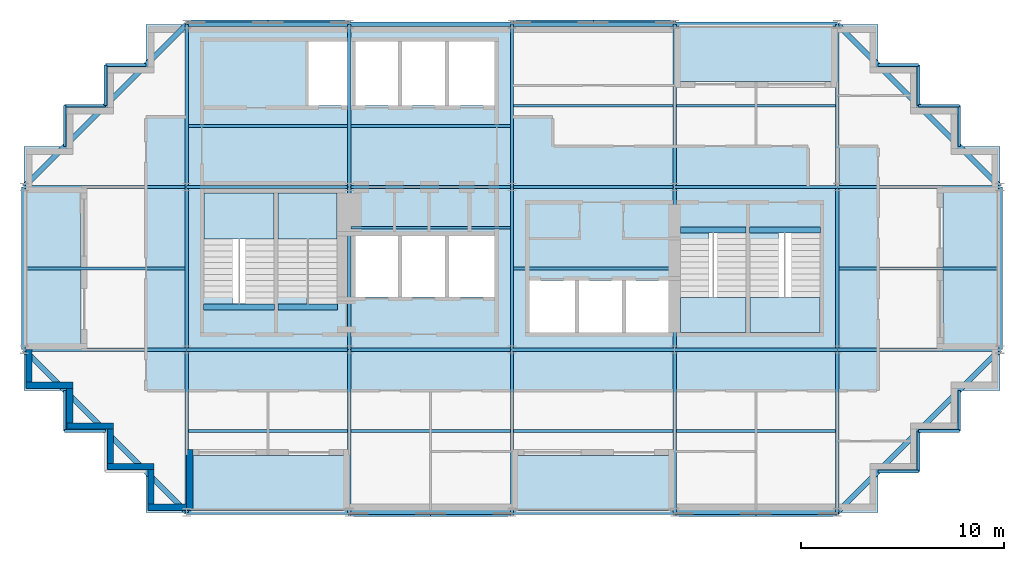
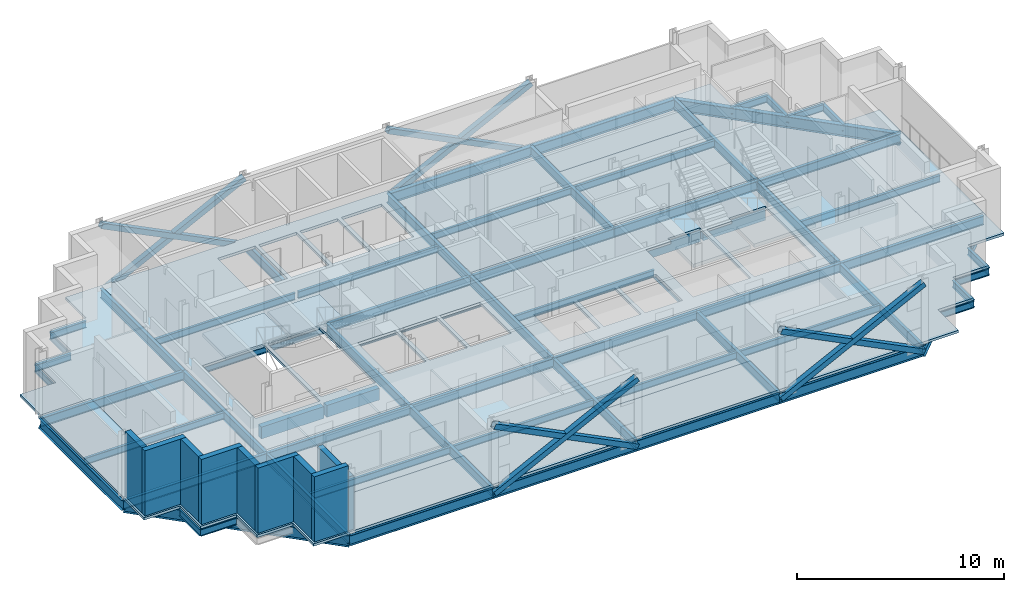
# One storey, part 3 of 9: 71 beams, 12 slabs, 9 walls, 8 members, 4 elements without a shape of their own.
"""IFC4 building model written with IfcOpenShell, lengths in metres."""

from ifc_helpers import new_model, si_unit, direction, frame, frame_2d, origin, origin_2d, place, context, subcontext, project, spatial, polyline, rectangle, hollow_rectangle, i_section, outline, extrude, material, layer, layer_set, material_profile, profile_set, type_object, element, aggregate, save


model = new_model("IFC4")

# Units and contexts
model_context = context("Model", 3, precision=1e-05, world=origin(), true_north=direction((0.0, 1.0)))
body_context = subcontext(model_context, "Body", "Model", "MODEL_VIEW")
ifc_project = project(units=[si_unit("LENGTHUNIT", "METRE"), si_unit("AREAUNIT", "SQUARE_METRE"), si_unit("VOLUMEUNIT", "CUBIC_METRE"), si_unit("PLANEANGLEUNIT", "RADIAN"), si_unit("MASSUNIT", "GRAM", prefix="KILO")], contexts=[model_context])

# Site, building, storey
site_placement = place(None, origin())
site = spatial("IfcSite", under=ifc_project, at=site_placement, CompositionType="ELEMENT")
building_placement = place(site_placement, origin())
building = spatial("IfcBuilding", under=site, at=building_placement, Name="Immortelle Media Tower", CompositionType="ELEMENT")
storey_placement = place(building_placement, frame((0.0, 0.0, 225.0)))
storey = spatial("IfcBuildingStorey", under=building, at=storey_placement, Name="L48", CompositionType="ELEMENT", Elevation=225.0)

# Members
ifc_material_1 = material(Name="Steel ASTM A500 Gr C", Category="steel")
ifc_material_profile_1 = material_profile(ifc_material_1, hollow_rectangle(XDim=0.304931640625, YDim=0.304931640625, WallThickness=0.011962890625, at=origin_2d()), Name="HSS12x12x1/2 brace")
ifc_profile_set_1 = profile_set([ifc_material_profile_1], Name="Steel ASTM A500 Gr C")
member_type = type_object("IfcMemberType", Name="HSS12x12x1/2 brace", PredefinedType="BRACE", material=ifc_profile_set_1)
for number, where, z_axis, x_axis, name in (
    (1, (16.0, -0.0625, -0.4560546875), (0.894427191, 0.0, 0.4472135955), (0.0, 1.0, 0.0), "Brace A/3-4 A"),
    (2, (16.0, -0.0625, 3.5439453125), (0.894427191, 0.0, -0.4472135955), (0.0, 1.0, 0.0), "Brace A/3-4 B"),
    (3, (32.0, -0.0625, -0.4560546875), (0.894427191, 0.0, 0.4472135955), (0.0, 1.0, 0.0), "Brace A/5-6 A"),
    (4, (32.0, -0.0625, 3.5439453125), (0.894427191, 0.0, -0.4472135955), (0.0, 1.0, 0.0), "Brace A/5-6 B"),
    (5, (32.0, 24.0625, -0.4560546875), (-0.894427191, 0.0, 0.4472135955), (0.0, -1.0, 0.0), "Brace D/4-5 A"),
    (6, (32.0, 24.0625, 3.5439453125), (-0.894427191, 0.0, -0.4472135955), (0.0, -1.0, 0.0), "Brace D/4-5 B"),
    (7, (16.0, 24.0625, -0.4560546875), (-0.894427191, 0.0, 0.4472135955), (0.0, -1.0, 0.0), "Brace D/2-3 A"),
    (8, (16.0, 24.0625, 3.5439453125), (-0.894427191, 0.0, -0.4472135955), (0.0, -1.0, 0.0), "Brace D/2-3 B"),
):
    element("IfcMember", number, at=place(storey_placement, frame(where, z_axis=z_axis, x_axis=x_axis)), inside=storey, type_object=member_type, Name=name, PredefinedType="BRACE", context=body_context, shape_type="SweptSolid", body=[
        extrude(hollow_rectangle(XDim=0.304931640625, YDim=0.304931640625, WallThickness=0.011962890625, at=origin_2d()), origin(), (0.0, 0.0, 1.0), 8.9443359375),
    ])

# Beams
ifc_material_2 = material(Name="Concrete C50/60", Category="concrete")
ifc_material_profile_2 = material_profile(ifc_material_2, rectangle(XDim=0.300048828125, YDim=0.699951171875, at=origin_2d()), Name="RC 300x700")
ifc_profile_set_2 = profile_set([ifc_material_profile_2], Name="Concrete C50/60")
beam_type_1 = type_object("IfcBeamType", Name="Stair trimmer beam 300 x 700", PredefinedType="BEAM", material=ifc_profile_set_2)
beam_1_placement = place(storey_placement, frame((8.830078125, 10.10498046875, -0.5), z_axis=(1.0, 0.0, 0.0), x_axis=(0.0, 1.0, 0.0)))
element("IfcBeam", 9, at=beam_1_placement, inside=storey, type_object=beam_type_1, Name="Stair trimmer beam SW1", PredefinedType="BEAM", context=body_context, shape_type="SweptSolid", body=[
    extrude(rectangle(XDim=0.300048828125, YDim=0.699951171875, at=origin_2d()), origin(), (0.0, 0.0, 1.0), 3.489990234375),
])
beam_2_placement = place(storey_placement, frame((12.47998046875, 10.10498046875, -0.5), z_axis=(1.0, 0.0, 0.0), x_axis=(0.0, 1.0, 0.0)))
element("IfcBeam", 10, at=beam_2_placement, inside=storey, type_object=beam_type_1, Name="Stair trimmer beam SW2", PredefinedType="BEAM", context=body_context, shape_type="SweptSolid", body=[
    extrude(rectangle(XDim=0.300048828125, YDim=0.699951171875, at=origin_2d()), origin(), (0.0, 0.0, 1.0), 2.93994140625),
])
beam_3_placement = place(storey_placement, frame((32.280029296875, 13.89501953125, -0.5), z_axis=(1.0, 0.0, 0.0), x_axis=(0.0, 1.0, 0.0)))
element("IfcBeam", 11, at=beam_3_placement, inside=storey, type_object=beam_type_1, Name="Stair trimmer beam SE1", PredefinedType="BEAM", context=body_context, shape_type="SweptSolid", body=[
    extrude(rectangle(XDim=0.300048828125, YDim=0.699951171875, at=origin_2d()), origin(), (0.0, 0.0, 1.0), 3.239990234375),
])
beam_4_placement = place(storey_placement, frame((35.679931640625, 13.89501953125, -0.5), z_axis=(1.0, 0.0, 0.0), x_axis=(0.0, 1.0, 0.0)))
element("IfcBeam", 12, at=beam_4_placement, inside=storey, type_object=beam_type_1, Name="Stair trimmer beam SE2", PredefinedType="BEAM", context=body_context, shape_type="SweptSolid", body=[
    extrude(rectangle(XDim=0.300048828125, YDim=0.699951171875, at=origin_2d()), origin(), (0.0, 0.0, 1.0), 3.489990234375),
])
ifc_material_3 = material(Name="Steel ASTM A992 Gr 50", Category="steel")
ifc_material_profile_3 = material_profile(ifc_material_3, i_section(OverallWidth=0.139892578125, OverallDepth=0.404052734375, WebThickness=0.007080078125, FlangeThickness=0.010986328125, at=origin_2d()), Name="W16x31")
ifc_profile_set_3 = profile_set([ifc_material_profile_3], Name="Steel ASTM A992 Gr 50")
beam_type_2 = type_object("IfcBeamType", Name="W16x31 secondary beam", PredefinedType="JOIST", material=ifc_profile_set_3)
for number, where, z_axis, x_axis, name in (
    (13, (8.08349609375, 4.0, -0.35205078125), (1.0, 0.0, 0.0), (0.0, 1.0, 0.0), "Beam A-B/2-3"),
    (14, (16.08349609375, 4.0, -0.35205078125), (1.0, 0.0, 0.0), (0.0, 1.0, 0.0), "Beam A-B/3-4"),
    (15, (24.08349609375, 4.0, -0.35205078125), (1.0, 0.0, 0.0), (0.0, 1.0, 0.0), "Beam A-B/4-5"),
    (16, (32.08349609375, 4.0, -0.35205078125), (1.0, 0.0, 0.0), (0.0, 1.0, 0.0), "Beam A-B/5-6"),
):
    element("IfcBeam", number, at=place(storey_placement, frame(where, z_axis=z_axis, x_axis=x_axis)), inside=storey, type_object=beam_type_2, Name=name, PredefinedType="JOIST", context=body_context, shape_type="SweptSolid", body=[
        extrude(i_section(OverallWidth=0.139892578125, OverallDepth=0.404052734375, WebThickness=0.007080078125, FlangeThickness=0.010986328125, at=origin_2d()), origin(), (0.0, 0.0, 1.0), 7.8330078125),
    ])
beam_5_placement = place(storey_placement, frame((0.114501953125, 12.0, -0.35205078125), z_axis=(1.0, 0.0, 0.0), x_axis=(0.0, 1.0, 0.0)))
element("IfcBeam", 17, at=beam_5_placement, inside=storey, type_object=beam_type_2, Name="Beam B-C/1-2", PredefinedType="JOIST", context=body_context, shape_type="SweptSolid", body=[
    extrude(i_section(OverallWidth=0.139892578125, OverallDepth=0.404052734375, WebThickness=0.007080078125, FlangeThickness=0.010986328125, at=origin_2d()), origin(), (0.0, 0.0, 1.0), 7.802001953125),
])
for number, where, z_axis, x_axis, name in (
    (18, (16.08349609375, 14.0, -0.35205078125), (1.0, 0.0, 0.0), (0.0, 1.0, 0.0), "Beam B-C/3-4"),
    (19, (24.08349609375, 12.0, -0.35205078125), (1.0, 0.0, 0.0), (0.0, 1.0, 0.0), "Beam B-C/4-5"),
):
    element("IfcBeam", number, at=place(storey_placement, frame(where, z_axis=z_axis, x_axis=x_axis)), inside=storey, type_object=beam_type_2, Name=name, PredefinedType="JOIST", context=body_context, shape_type="SweptSolid", body=[
        extrude(i_section(OverallWidth=0.139892578125, OverallDepth=0.404052734375, WebThickness=0.007080078125, FlangeThickness=0.010986328125, at=origin_2d()), origin(), (0.0, 0.0, 1.0), 7.8330078125),
    ])
beam_6_placement = place(storey_placement, frame((40.08349609375, 12.0, -0.35205078125), z_axis=(1.0, 0.0, 0.0), x_axis=(0.0, 1.0, 0.0)))
element("IfcBeam", 20, at=beam_6_placement, inside=storey, type_object=beam_type_2, Name="Beam B-C/6-7", PredefinedType="JOIST", context=body_context, shape_type="SweptSolid", body=[
    extrude(i_section(OverallWidth=0.139892578125, OverallDepth=0.404052734375, WebThickness=0.007080078125, FlangeThickness=0.010986328125, at=origin_2d()), origin(), (0.0, 0.0, 1.0), 7.802001953125),
])
for number, where, z_axis, x_axis, name in (
    (21, (8.08349609375, 19.0, -0.35205078125), (1.0, 0.0, 0.0), (0.0, 1.0, 0.0), "Beam C-D/2-3"),
    (22, (16.08349609375, 19.0, -0.35205078125), (1.0, 0.0, 0.0), (0.0, 1.0, 0.0), "Beam C-D/3-4"),
    (23, (24.08349609375, 20.0, -0.35205078125), (1.0, 0.0, 0.0), (0.0, 1.0, 0.0), "Beam C-D/4-5"),
    (24, (32.08349609375, 20.0, -0.35205078125), (1.0, 0.0, 0.0), (0.0, 1.0, 0.0), "Beam C-D/5-6"),
):
    element("IfcBeam", number, at=place(storey_placement, frame(where, z_axis=z_axis, x_axis=x_axis)), inside=storey, type_object=beam_type_2, Name=name, PredefinedType="JOIST", context=body_context, shape_type="SweptSolid", body=[
        extrude(i_section(OverallWidth=0.139892578125, OverallDepth=0.404052734375, WebThickness=0.007080078125, FlangeThickness=0.010986328125, at=origin_2d()), origin(), (0.0, 0.0, 1.0), 7.8330078125),
    ])
ifc_material_profile_4 = material_profile(ifc_material_3, i_section(OverallWidth=0.139892578125, OverallDepth=0.404052734375, WebThickness=0.007080078125, FlangeThickness=0.010986328125, at=origin_2d()), Name="W16x31")
ifc_profile_set_4 = profile_set([ifc_material_profile_4], Name="Steel ASTM A992 Gr 50")
beam_type_3 = type_object("IfcBeamType", Name="W16x31 serration edge beam", PredefinedType="SPANDREL", material=ifc_profile_set_4)
for number, where, z_axis, x_axis, name in (
    (25, (4.0, 4.0, -0.35205078125), (-1.0, 0.0, 0.0), (0.0, -1.0, 0.0), "Corner edge beam 3 at 1/A"),
    (26, (2.0, 4.0, -0.35205078125), (0.0, 1.0, 0.0), (-1.0, 0.0, 0.0), "Corner edge beam 4 at 1/A"),
    (27, (2.0, 18.0, -0.35205078125), (0.0, 1.0, 0.0), (-1.0, 0.0, 0.0), "Corner edge beam 1 at 1/D"),
    (28, (2.0, 20.0, -0.35205078125), (1.0, 0.0, 0.0), (0.0, 1.0, 0.0), "Corner edge beam 2 at 1/D"),
    (29, (4.0, 20.0, -0.35205078125), (0.0, 1.0, 0.0), (-1.0, 0.0, 0.0), "Corner edge beam 3 at 1/D"),
    (30, (4.0, 22.0, -0.35205078125), (1.0, 0.0, 0.0), (0.0, 1.0, 0.0), "Corner edge beam 4 at 1/D"),
    (31, (46.0, 6.0, -0.35205078125), (0.0, -1.0, 0.0), (1.0, 0.0, 0.0), "Corner edge beam 1 at 7/A"),
    (32, (46.0, 4.0, -0.35205078125), (-1.0, 0.0, 0.0), (0.0, -1.0, 0.0), "Corner edge beam 2 at 7/A"),
    (33, (44.0, 4.0, -0.35205078125), (0.0, -1.0, 0.0), (1.0, 0.0, 0.0), "Corner edge beam 3 at 7/A"),
    (34, (44.0, 2.0, -0.35205078125), (-1.0, 0.0, 0.0), (0.0, -1.0, 0.0), "Corner edge beam 4 at 7/A"),
    (35, (42.0, 22.0, -0.35205078125), (1.0, 0.0, 0.0), (0.0, 1.0, 0.0), "Corner edge beam 1 at 7/D"),
    (36, (44.0, 22.0, -0.35205078125), (0.0, -1.0, 0.0), (1.0, 0.0, 0.0), "Corner edge beam 2 at 7/D"),
    (37, (44.0, 20.0, -0.35205078125), (1.0, 0.0, 0.0), (0.0, 1.0, 0.0), "Corner edge beam 3 at 7/D"),
    (38, (46.0, 20.0, -0.35205078125), (0.0, -1.0, 0.0), (1.0, 0.0, 0.0), "Corner edge beam 4 at 7/D"),
):
    element("IfcBeam", number, at=place(storey_placement, frame(where, z_axis=z_axis, x_axis=x_axis)), inside=storey, type_object=beam_type_3, Name=name, PredefinedType="SPANDREL", context=body_context, shape_type="SweptSolid", body=[
        extrude(i_section(OverallWidth=0.139892578125, OverallDepth=0.404052734375, WebThickness=0.007080078125, FlangeThickness=0.010986328125, at=origin_2d()), origin(), (0.0, 0.0, 1.0), 2.0),
    ])
ifc_material_profile_5 = material_profile(ifc_material_3, i_section(OverallWidth=0.1669921875, OverallDepth=0.535888671875, WebThickness=0.010009765625, FlangeThickness=0.01708984375, at=origin_2d()), Name="W21x57")
ifc_profile_set_5 = profile_set([ifc_material_profile_5], Name="Steel ASTM A992 Gr 50")
beam_type_4 = type_object("IfcBeamType", Name="W21x57 girder", PredefinedType="BEAM", material=ifc_profile_set_5)
for number, where, z_axis, x_axis, name in (
    (39, (0.0, 8.0, -0.41796875), (1.0, 0.0, 0.0), (0.0, 1.0, 0.0), "Girder B/1-2"),
    (40, (0.0, 16.0, -0.41796875), (1.0, 0.0, 0.0), (0.0, 1.0, 0.0), "Girder C/1-2"),
    (41, (8.0, 0.0, -0.41796875), (0.0, 1.0, 0.0), (-1.0, 0.0, 0.0), "Girder 2/A-B"),
    (42, (8.0, 8.0, -0.41796875), (1.0, 0.0, 0.0), (0.0, 1.0, 0.0), "Girder B/2-3"),
    (43, (8.0, 8.0, -0.41796875), (0.0, 1.0, 0.0), (-1.0, 0.0, 0.0), "Girder 2/B-C"),
    (44, (8.0, 16.0, -0.41796875), (1.0, 0.0, 0.0), (0.0, 1.0, 0.0), "Girder C/2-3"),
    (45, (8.0, 16.0, -0.41796875), (0.0, 1.0, 0.0), (-1.0, 0.0, 0.0), "Girder 2/C-D"),
    (46, (16.0, 0.0, -0.41796875), (0.0, 1.0, 0.0), (-1.0, 0.0, 0.0), "Girder 3/A-B"),
    (47, (16.0, 8.0, -0.41796875), (1.0, 0.0, 0.0), (0.0, 1.0, 0.0), "Girder B/3-4"),
    (48, (16.0, 8.0, -0.41796875), (0.0, 1.0, 0.0), (-1.0, 0.0, 0.0), "Girder 3/B-C"),
    (49, (16.0, 16.0, -0.41796875), (1.0, 0.0, 0.0), (0.0, 1.0, 0.0), "Girder C/3-4"),
    (50, (16.0, 16.0, -0.41796875), (0.0, 1.0, 0.0), (-1.0, 0.0, 0.0), "Girder 3/C-D"),
    (51, (24.0, 0.0, -0.41796875), (0.0, 1.0, 0.0), (-1.0, 0.0, 0.0), "Girder 4/A-B"),
    (52, (24.0, 8.0, -0.41796875), (1.0, 0.0, 0.0), (0.0, 1.0, 0.0), "Girder B/4-5"),
    (53, (24.0, 8.0, -0.41796875), (0.0, 1.0, 0.0), (-1.0, 0.0, 0.0), "Girder 4/B-C"),
    (54, (24.0, 16.0, -0.41796875), (1.0, 0.0, 0.0), (0.0, 1.0, 0.0), "Girder C/4-5"),
    (55, (24.0, 16.0, -0.41796875), (0.0, 1.0, 0.0), (-1.0, 0.0, 0.0), "Girder 4/C-D"),
    (56, (32.0, 0.0, -0.41796875), (0.0, 1.0, 0.0), (-1.0, 0.0, 0.0), "Girder 5/A-B"),
    (57, (32.0, 8.0, -0.41796875), (1.0, 0.0, 0.0), (0.0, 1.0, 0.0), "Girder B/5-6"),
    (58, (32.0, 8.0, -0.41796875), (0.0, 1.0, 0.0), (-1.0, 0.0, 0.0), "Girder 5/B-C"),
    (59, (32.0, 16.0, -0.41796875), (1.0, 0.0, 0.0), (0.0, 1.0, 0.0), "Girder C/5-6"),
    (60, (32.0, 16.0, -0.41796875), (0.0, 1.0, 0.0), (-1.0, 0.0, 0.0), "Girder 5/C-D"),
    (61, (40.0, 0.0, -0.41796875), (0.0, 1.0, 0.0), (-1.0, 0.0, 0.0), "Girder 6/A-B"),
    (62, (40.0, 8.0, -0.41796875), (1.0, 0.0, 0.0), (0.0, 1.0, 0.0), "Girder B/6-7"),
    (63, (40.0, 8.0, -0.41796875), (0.0, 1.0, 0.0), (-1.0, 0.0, 0.0), "Girder 6/B-C"),
    (64, (40.0, 16.0, -0.41796875), (1.0, 0.0, 0.0), (0.0, 1.0, 0.0), "Girder C/6-7"),
    (65, (40.0, 16.0, -0.41796875), (0.0, 1.0, 0.0), (-1.0, 0.0, 0.0), "Girder 6/C-D"),
):
    element("IfcBeam", number, at=place(storey_placement, frame(where, z_axis=z_axis, x_axis=x_axis)), inside=storey, type_object=beam_type_4, Name=name, PredefinedType="BEAM", context=body_context, shape_type="SweptSolid", body=[
        extrude(i_section(OverallWidth=0.1669921875, OverallDepth=0.535888671875, WebThickness=0.010009765625, FlangeThickness=0.01708984375, at=origin_2d()), origin(), (0.0, 0.0, 1.0), 8.0),
    ])
ifc_material_profile_6 = material_profile(ifc_material_3, i_section(OverallWidth=0.22900390625, OverallDepth=0.612060546875, WebThickness=0.011962890625, FlangeThickness=0.02001953125, at=origin_2d()), Name="W24x84")
ifc_profile_set_6 = profile_set([ifc_material_profile_6], Name="Steel ASTM A992 Gr 50")
beam_type_5 = type_object("IfcBeamType", Name="W24x84 perimeter girder", PredefinedType="SPANDREL", material=ifc_profile_set_6)
for number, where, z_axis, x_axis, name in (
    (66, (0.0, 8.0, -0.4560546875), (0.0, 1.0, 0.0), (-1.0, 0.0, 0.0), "Girder 1/B-C"),
    (67, (8.0, 0.0, -0.4560546875), (1.0, 0.0, 0.0), (0.0, 1.0, 0.0), "Girder A/2-3"),
    (68, (8.0, 24.0, -0.4560546875), (1.0, 0.0, 0.0), (0.0, 1.0, 0.0), "Girder D/2-3"),
    (69, (16.0, 0.0, -0.4560546875), (1.0, 0.0, 0.0), (0.0, 1.0, 0.0), "Girder A/3-4"),
    (70, (16.0, 24.0, -0.4560546875), (1.0, 0.0, 0.0), (0.0, 1.0, 0.0), "Girder D/3-4"),
    (71, (24.0, 0.0, -0.4560546875), (1.0, 0.0, 0.0), (0.0, 1.0, 0.0), "Girder A/4-5"),
    (72, (24.0, 24.0, -0.4560546875), (1.0, 0.0, 0.0), (0.0, 1.0, 0.0), "Girder D/4-5"),
    (73, (32.0, 0.0, -0.4560546875), (1.0, 0.0, 0.0), (0.0, 1.0, 0.0), "Girder A/5-6"),
    (74, (32.0, 24.0, -0.4560546875), (1.0, 0.0, 0.0), (0.0, 1.0, 0.0), "Girder D/5-6"),
    (75, (48.0, 8.0, -0.4560546875), (0.0, 1.0, 0.0), (-1.0, 0.0, 0.0), "Girder 7/B-C"),
):
    element("IfcBeam", number, at=place(storey_placement, frame(where, z_axis=z_axis, x_axis=x_axis)), inside=storey, type_object=beam_type_5, Name=name, PredefinedType="SPANDREL", context=body_context, shape_type="SweptSolid", body=[
        extrude(i_section(OverallWidth=0.22900390625, OverallDepth=0.612060546875, WebThickness=0.011962890625, FlangeThickness=0.02001953125, at=origin_2d()), origin(), (0.0, 0.0, 1.0), 8.0),
    ])
ifc_material_profile_7 = material_profile(ifc_material_3, i_section(OverallWidth=0.2529296875, OverallDepth=0.677978515625, WebThickness=0.011962890625, FlangeThickness=0.01611328125, at=origin_2d()), Name="W27x84")
ifc_profile_set_7 = profile_set([ifc_material_profile_7], Name="Steel ASTM A992 Gr 50")
beam_type_6 = type_object("IfcBeamType", Name="W27x84 corner girder", PredefinedType="SPANDREL", material=ifc_profile_set_7)
for number, where, z_axis, x_axis, name in (
    (76, (8.0, 0.0, -0.489013671875), (-0.707106781187, 0.707106781187, 0.0), (-0.707106781187, -0.707106781187, 0.0), "Corner girder at 1/A"),
    (77, (0.0, 16.0, -0.489013671875), (0.707106781187, 0.707106781187, 0.0), (-0.707106781187, 0.707106781187, 0.0), "Corner girder at 1/D"),
    (78, (48.0, 8.0, -0.489013671875), (-0.707106781187, -0.707106781187, 0.0), (0.707106781187, -0.707106781187, 0.0), "Corner girder at 7/A"),
    (79, (40.0, 24.0, -0.489013671875), (0.707106781187, -0.707106781187, 0.0), (0.707106781187, 0.707106781187, 0.0), "Corner girder at 7/D"),
):
    element("IfcBeam", number, at=place(storey_placement, frame(where, z_axis=z_axis, x_axis=x_axis)), inside=storey, type_object=beam_type_6, Name=name, PredefinedType="SPANDREL", context=body_context, shape_type="SweptSolid", body=[
        extrude(i_section(OverallWidth=0.2529296875, OverallDepth=0.677978515625, WebThickness=0.011962890625, FlangeThickness=0.01611328125, at=origin_2d()), origin(), (0.0, 0.0, 1.0), 11.313720703125),
    ])

# Slabs
ifc_material_4 = material(Name="Concrete C50/60 composite deck", Category="concrete")
ifc_layer_1 = layer(ifc_material_4, 0.14990234375)
ifc_layer_set_1 = layer_set([ifc_layer_1], Name="Concrete C50/60 composite deck")
slab_type_1 = type_object("IfcSlabType", Name="Balcony slab 150", PredefinedType="FLOOR", material=ifc_layer_set_1)
slab_1_placement = place(storey_placement, frame((0.0, 0.0, -0.14990234375)))
element("IfcSlab", 80, at=slab_1_placement, inside=storey, type_object=slab_type_1, Name="Balcony slab L48 S0", PredefinedType="FLOOR", context=body_context, shape_type="SweptSolid", body=[
    extrude(outline(polyline([(16.0, 0.0), (16.0, 2.800048828125), (8.0, 2.800048828125), (8.0, 0.0), (16.0, 0.0)])), origin(), (0.0, 0.0, 1.0), 0.14990234375),
])
slab_2_placement = place(storey_placement, frame((0.0, 0.0, -0.14990234375)))
element("IfcSlab", 81, at=slab_2_placement, inside=storey, type_object=slab_type_1, Name="Balcony slab L48 S2", PredefinedType="FLOOR", context=body_context, shape_type="SweptSolid", body=[
    extrude(outline(polyline([(32.0, 0.0), (32.0, 2.800048828125), (24.0, 2.800048828125), (24.0, 0.0), (32.0, 0.0)])), origin(), (0.0, 0.0, 1.0), 0.14990234375),
])
slab_3_placement = place(storey_placement, frame((0.0, 0.0, -0.14990234375)))
element("IfcSlab", 82, at=slab_3_placement, inside=storey, type_object=slab_type_1, Name="Balcony slab L48 E0", PredefinedType="FLOOR", context=body_context, shape_type="SweptSolid", body=[
    extrude(outline(polyline([(48.0, 8.0), (48.0, 16.0), (45.199951171875, 16.0), (45.199951171875, 8.0), (48.0, 8.0)])), origin(), (0.0, 0.0, 1.0), 0.14990234375),
])
slab_4_placement = place(storey_placement, frame((0.0, 0.0, -0.14990234375)))
element("IfcSlab", 83, at=slab_4_placement, inside=storey, type_object=slab_type_1, Name="Balcony slab L48 N0", PredefinedType="FLOOR", context=body_context, shape_type="SweptSolid", body=[
    extrude(outline(polyline([(40.0, 21.199951171875), (40.0, 24.0), (32.0, 24.0), (32.0, 21.199951171875), (40.0, 21.199951171875)])), origin(), (0.0, 0.0, 1.0), 0.14990234375),
])
slab_5_placement = place(storey_placement, frame((0.0, 0.0, -0.14990234375)))
element("IfcSlab", 84, at=slab_5_placement, inside=storey, type_object=slab_type_1, Name="Balcony slab L48 W0", PredefinedType="FLOOR", context=body_context, shape_type="SweptSolid", body=[
    extrude(outline(polyline([(2.800048828125, 8.0), (2.800048828125, 16.0), (0.0, 16.0), (0.0, 8.0), (2.800048828125, 8.0)])), origin(), (0.0, 0.0, 1.0), 0.14990234375),
])
ifc_layer_2 = layer(ifc_material_2, 0.14990234375)
ifc_layer_set_2 = layer_set([ifc_layer_2], Name="Concrete C50/60")
slab_type_2 = type_object("IfcSlabType", Name="Composite floor slab 150", PredefinedType="FLOOR", material=ifc_layer_set_2)
slab_6_placement = place(storey_placement, frame((0.0, 0.0, -0.14990234375)))
element("IfcSlab", 85, at=slab_6_placement, inside=storey, type_object=slab_type_2, Name="Floor slab L48", PredefinedType="FLOOR", context=body_context, shape_type="SweptSolid", body=[
    extrude(outline(polyline([(6.0, 0.0), (6.0, 2.0), (4.0, 2.0), (4.0, 4.0), (2.0, 4.0), (2.0, 6.0), (0.0, 6.0), (0.0, 8.0), (2.800048828125, 8.0), (2.800048828125, 16.0), (0.0, 16.0), (0.0, 18.0), (2.0, 18.0), (2.0, 20.0), (4.0, 20.0), (4.0, 22.0), (6.0, 22.0), (6.0, 24.0), (8.0, 24.0), (8.0, 8.0), (24.0, 8.0), (40.0, 8.0), (40.0, 16.0), (24.0, 16.0), (24.0, 21.199951171875), (24.0, 24.0), (32.0, 24.0), (32.0, 21.199951171875), (40.0, 21.199951171875), (40.0, 24.0), (42.0, 24.0), (42.0, 22.0), (44.0, 22.0), (44.0, 20.0), (46.0, 20.0), (46.0, 18.0), (48.0, 18.0), (48.0, 16.0), (45.199951171875, 16.0), (45.199951171875, 8.0), (48.0, 8.0), (48.0, 6.0), (46.0, 6.0), (46.0, 4.0), (44.0, 4.0), (44.0, 2.0), (42.0, 2.0), (42.0, 0.0), (32.0, 0.0), (32.0, 2.800048828125), (24.0, 2.800048828125), (24.0, 0.0), (16.0, 0.0), (16.0, 2.800048828125), (8.0, 2.800048828125), (8.0, 0.0), (6.0, 0.0)])), origin(), (0.0, 0.0, 1.0), 0.14990234375),
])
ifc_layer_3 = layer(ifc_material_2, 0.14990234375)
ifc_layer_set_3 = layer_set([ifc_layer_3], Name="Concrete C50/60")
slab_type_3 = type_object("IfcSlabType", Name="Core floor slab 150", PredefinedType="FLOOR", material=ifc_layer_set_3)
slab_7_placement = place(storey_placement, frame((0.0, 0.0, -0.14990234375)))
element("IfcSlab", 86, at=slab_7_placement, inside=storey, type_object=slab_type_3, Name="Core floor SW", PredefinedType="FLOOR", context=body_context, shape_type="SweptSolid", body=[
    extrude(outline(polyline([(8.0, 8.0), (24.0, 8.0), (24.0, 24.0), (8.0, 24.0), (8.0, 8.0)]), holes=[polyline([(14.0, 20.0), (16.10009765625, 20.0), (16.10009765625, 23.14990234375), (14.0, 23.14990234375), (14.0, 20.0)]), polyline([(16.300048828125, 20.0), (18.39990234375, 20.0), (18.39990234375, 23.14990234375), (16.300048828125, 23.14990234375), (16.300048828125, 20.0)]), polyline([(18.60009765625, 20.0), (20.699951171875, 20.0), (20.699951171875, 23.14990234375), (18.60009765625, 23.14990234375), (18.60009765625, 20.0)]), polyline([(20.89990234375, 20.0), (23.14990234375, 20.0), (23.14990234375, 23.14990234375), (20.89990234375, 23.14990234375), (20.89990234375, 20.0)]), polyline([(16.300048828125, 10.60009765625), (18.39990234375, 10.60009765625), (18.39990234375, 13.60009765625), (16.300048828125, 13.60009765625), (16.300048828125, 10.60009765625)]), polyline([(18.60009765625, 10.60009765625), (20.699951171875, 10.60009765625), (20.699951171875, 13.60009765625), (18.60009765625, 13.60009765625), (18.60009765625, 10.60009765625)]), polyline([(20.89990234375, 10.60009765625), (23.14990234375, 10.60009765625), (23.14990234375, 13.60009765625), (20.89990234375, 13.60009765625), (20.89990234375, 10.60009765625)]), polyline([(8.85009765625, 15.699951171875), (12.300048828125, 15.699951171875), (12.300048828125, 10.27001953125), (10.25, 10.27001953125), (10.25, 10.56005859375), (8.85009765625, 10.56005859375), (8.85009765625, 15.699951171875)]), polyline([(12.5, 15.699951171875), (15.39990234375, 15.699951171875), (15.39990234375, 10.27001953125), (13.89990234375, 10.27001953125), (13.89990234375, 10.56005859375), (12.5, 10.56005859375), (12.5, 15.699951171875)])]), origin(), (0.0, 0.0, 1.0), 0.14990234375),
])
slab_8_placement = place(storey_placement, frame((0.0, 0.0, -0.14990234375)))
element("IfcSlab", 87, at=slab_8_placement, inside=storey, type_object=slab_type_3, Name="Core floor SE", PredefinedType="FLOOR", context=body_context, shape_type="SweptSolid", body=[
    extrude(outline(polyline([(24.0, 8.0), (40.0, 8.0), (40.0, 16.0), (24.0, 16.0), (24.0, 8.0)]), holes=[polyline([(24.85009765625, 8.85009765625), (27.10009765625, 8.85009765625), (27.10009765625, 11.39990234375), (24.85009765625, 11.39990234375), (24.85009765625, 8.85009765625)]), polyline([(27.300048828125, 8.85009765625), (29.39990234375, 8.85009765625), (29.39990234375, 11.39990234375), (27.300048828125, 11.39990234375), (27.300048828125, 8.85009765625)]), polyline([(29.60009765625, 8.85009765625), (31.699951171875, 8.85009765625), (31.699951171875, 11.39990234375), (29.60009765625, 11.39990234375), (29.60009765625, 8.85009765625)]), polyline([(35.5, 13.72998046875), (35.5, 8.85009765625), (32.300048828125, 8.85009765625), (32.300048828125, 13.43994140625), (33.699951171875, 13.43994140625), (33.699951171875, 13.72998046875), (35.5, 13.72998046875)]), polyline([(39.14990234375, 13.72998046875), (39.14990234375, 8.85009765625), (35.699951171875, 8.85009765625), (35.699951171875, 13.43994140625), (37.10009765625, 13.43994140625), (37.10009765625, 13.72998046875), (39.14990234375, 13.72998046875)])]), origin(), (0.0, 0.0, 1.0), 0.14990234375),
])

# Stair, slab
stair_type = type_object("IfcStairType", Name="Stair with flights", PredefinedType="DOUBLE_RETURN_STAIR", material=ifc_material_3)
stair_1_placement = place(storey_placement, origin())
stair_1 = element("IfcStair", 88, at=stair_1_placement, inside=storey, type_object=stair_type, Name="Exit stair SW1", PredefinedType="DOUBLE_RETURN_STAIR")
ifc_material_5 = material(Name="Steel ASTM A572 Gr 50", Category="steel")
ifc_layer_4 = layer(ifc_material_5, 0.199951171875)
ifc_layer_set_4 = layer_set([ifc_layer_4], Name="Steel ASTM A572 Gr 50")
slab_type_4 = type_object("IfcSlabType", Name="Stair landing 200", PredefinedType="LANDING", material=ifc_layer_set_4)
slab_9_placement = place(storey_placement, frame((0.0, 0.0, 1.713134765625)))
slab_9 = element("IfcSlab", 89, at=slab_9_placement, type_object=slab_type_4, Name="ST SW1 landing 1", PredefinedType="LANDING", context=body_context, shape_type="SweptSolid", body=[
    extrude(outline(polyline([(8.85009765625, 13.43994140625), (12.300048828125, 13.43994140625), (12.300048828125, 15.699951171875), (8.85009765625, 15.699951171875), (8.85009765625, 13.43994140625)])), origin(), (0.0, 0.0, 1.0), 0.199951171875),
])
aggregate(stair_1, [slab_9])

stair_2_placement = place(storey_placement, origin())
stair_2 = element("IfcStair", 90, at=stair_2_placement, inside=storey, type_object=stair_type, Name="Exit stair SW2", PredefinedType="DOUBLE_RETURN_STAIR")
slab_10_placement = place(storey_placement, frame((0.0, 0.0, 1.713134765625)))
slab_10 = element("IfcSlab", 91, at=slab_10_placement, type_object=slab_type_4, Name="ST SW2 landing 1", PredefinedType="LANDING", context=body_context, shape_type="SweptSolid", body=[
    extrude(outline(polyline([(12.5, 13.43994140625), (15.39990234375, 13.43994140625), (15.39990234375, 15.699951171875), (12.5, 15.699951171875), (12.5, 13.43994140625)])), origin(), (0.0, 0.0, 1.0), 0.199951171875),
])
aggregate(stair_2, [slab_10])

stair_3_placement = place(storey_placement, origin())
stair_3 = element("IfcStair", 92, at=stair_3_placement, inside=storey, type_object=stair_type, Name="Exit stair SE1", PredefinedType="DOUBLE_RETURN_STAIR")
slab_11_placement = place(storey_placement, frame((0.0, 0.0, 1.713134765625)))
slab_11 = element("IfcSlab", 93, at=slab_11_placement, type_object=slab_type_4, Name="ST SE1 landing 1", PredefinedType="LANDING", context=body_context, shape_type="SweptSolid", body=[
    extrude(outline(polyline([(32.300048828125, 8.85009765625), (35.5, 8.85009765625), (35.5, 10.56005859375), (32.300048828125, 10.56005859375), (32.300048828125, 8.85009765625)])), origin(), (0.0, 0.0, 1.0), 0.199951171875),
])
aggregate(stair_3, [slab_11])

stair_4_placement = place(storey_placement, origin())
stair_4 = element("IfcStair", 94, at=stair_4_placement, inside=storey, type_object=stair_type, Name="Exit stair SE2", PredefinedType="DOUBLE_RETURN_STAIR")
slab_12_placement = place(storey_placement, frame((0.0, 0.0, 1.713134765625)))
slab_12 = element("IfcSlab", 95, at=slab_12_placement, type_object=slab_type_4, Name="ST SE2 landing 1", PredefinedType="LANDING", context=body_context, shape_type="SweptSolid", body=[
    extrude(outline(polyline([(35.699951171875, 8.85009765625), (39.14990234375, 8.85009765625), (39.14990234375, 10.56005859375), (35.699951171875, 10.56005859375), (35.699951171875, 8.85009765625)])), origin(), (0.0, 0.0, 1.0), 0.199951171875),
])
aggregate(stair_4, [slab_12])

# Walls
ifc_material_6 = material(Name="Pale aluminium cladding panel", Category="aluminium")
ifc_layer_5 = layer(ifc_material_6, 0.030029296875)
ifc_material_7 = material(Name="Steel ASTM A653 SS Gr 50 stud frame with mineral wool", Category="steel")
ifc_layer_6 = layer(ifc_material_7, 0.257568359375)
ifc_material_8 = material(Name="Moisture-resistant gypsum board", Category="gypsum")
ifc_layer_7 = layer(ifc_material_8, 0.012451171875)
ifc_layer_set_5 = layer_set([ifc_layer_5, ifc_layer_6, ifc_layer_7], Name="Steel ASTM A653 SS Gr 50 stud frame with mineral wool")
wall_type = type_object("IfcWallType", Name="Facade wall 300", PredefinedType="SOLIDWALL", material=ifc_layer_set_5)
wall_1_placement = place(storey_placement, frame((0.10009765625, 6.25, 0.0), z_axis=(0.0, 0.0, 1.0), x_axis=(1.0, 0.0, 0.0)))
element("IfcWall", 96, at=wall_1_placement, inside=storey, type_object=wall_type, Name="Facade wall L48 S0", PredefinedType="SOLIDWALL", context=body_context, shape_type="SweptSolid", body=[
    extrude(rectangle(XDim=2.2998046875, YDim=0.300048828125, at=frame_2d((1.14990234375, 0.0))), origin(), (0.0, 0.0, 1.0), 3.85009765625),
])
wall_2_placement = place(storey_placement, frame((2.25, 6.10009765625, 0.0), z_axis=(0.0, 0.0, 1.0), x_axis=(0.0, -1.0, 0.0)))
element("IfcWall", 97, at=wall_2_placement, inside=storey, type_object=wall_type, Name="Facade wall L48 W1", PredefinedType="SOLIDWALL", context=body_context, shape_type="SweptSolid", body=[
    extrude(rectangle(XDim=1.7001953125, YDim=0.300048828125, at=frame_2d((0.85009765625, 0.0))), origin(), (0.0, 0.0, 1.0), 3.85009765625),
])
wall_3_placement = place(storey_placement, frame((2.10009765625, 4.25, 0.0), z_axis=(0.0, 0.0, 1.0), x_axis=(1.0, 0.0, 0.0)))
element("IfcWall", 98, at=wall_3_placement, inside=storey, type_object=wall_type, Name="Facade wall L48 S2", PredefinedType="SOLIDWALL", context=body_context, shape_type="SweptSolid", body=[
    extrude(rectangle(XDim=2.2998046875, YDim=0.300048828125, at=frame_2d((1.14990234375, 0.0))), origin(), (0.0, 0.0, 1.0), 3.85009765625),
])
wall_4_placement = place(storey_placement, frame((4.25, 4.10009765625, 0.0), z_axis=(0.0, 0.0, 1.0), x_axis=(0.0, -1.0, 0.0)))
element("IfcWall", 99, at=wall_4_placement, inside=storey, type_object=wall_type, Name="Facade wall L48 W3", PredefinedType="SOLIDWALL", context=body_context, shape_type="SweptSolid", body=[
    extrude(rectangle(XDim=1.7001953125, YDim=0.300048828125, at=frame_2d((0.85009765625, 0.0))), origin(), (0.0, 0.0, 1.0), 3.85009765625),
])
wall_5_placement = place(storey_placement, frame((4.10009765625, 2.25, 0.0), z_axis=(0.0, 0.0, 1.0), x_axis=(1.0, 0.0, 0.0)))
element("IfcWall", 100, at=wall_5_placement, inside=storey, type_object=wall_type, Name="Facade wall L48 S4", PredefinedType="SOLIDWALL", context=body_context, shape_type="SweptSolid", body=[
    extrude(rectangle(XDim=2.2998046875, YDim=0.300048828125, at=frame_2d((1.14990234375, 0.0))), origin(), (0.0, 0.0, 1.0), 3.85009765625),
])
wall_6_placement = place(storey_placement, frame((6.25, 2.10009765625, 0.0), z_axis=(0.0, 0.0, 1.0), x_axis=(0.0, -1.0, 0.0)))
element("IfcWall", 101, at=wall_6_placement, inside=storey, type_object=wall_type, Name="Facade wall L48 W5", PredefinedType="SOLIDWALL", context=body_context, shape_type="SweptSolid", body=[
    extrude(rectangle(XDim=1.7001953125, YDim=0.300048828125, at=frame_2d((0.85009765625, 0.0))), origin(), (0.0, 0.0, 1.0), 3.85009765625),
])
wall_7_placement = place(storey_placement, frame((6.10009765625, 0.25, 0.0), z_axis=(0.0, 0.0, 1.0), x_axis=(1.0, 0.0, 0.0)))
element("IfcWall", 102, at=wall_7_placement, inside=storey, type_object=wall_type, Name="Facade wall L48 S6", PredefinedType="SOLIDWALL", context=body_context, shape_type="SweptSolid", body=[
    extrude(rectangle(XDim=1.89990234375, YDim=0.300048828125, at=frame_2d((0.949951171875, 0.0))), origin(), (0.0, 0.0, 1.0), 3.85009765625),
])
wall_8_placement = place(storey_placement, frame((8.14990234375, 0.10009765625, 0.0), z_axis=(0.0, 0.0, 1.0), x_axis=(0.0, 1.0, 0.0)))
element("IfcWall", 103, at=wall_8_placement, inside=storey, type_object=wall_type, Name="Loggia cheek wall L48 S", PredefinedType="SOLIDWALL", context=body_context, shape_type="SweptSolid", body=[
    extrude(rectangle(XDim=3.0, YDim=0.300048828125, at=frame_2d((1.5, 0.0))), origin(), (0.0, 0.0, 1.0), 3.1708984375),
])
wall_9_placement = place(storey_placement, frame((0.25, 8.0, 0.0), z_axis=(0.0, 0.0, 1.0), x_axis=(0.0, -1.0, 0.0)))
element("IfcWall", 104, at=wall_9_placement, inside=storey, type_object=wall_type, Name="Facade wall L48 W27", PredefinedType="SOLIDWALL", context=body_context, shape_type="SweptSolid", body=[
    extrude(rectangle(XDim=1.60009765625, YDim=0.300048828125, at=frame_2d((0.800048828125, 0.0))), origin(), (0.0, 0.0, 1.0), 3.85009765625),
])

save(model, "model.ifc")
